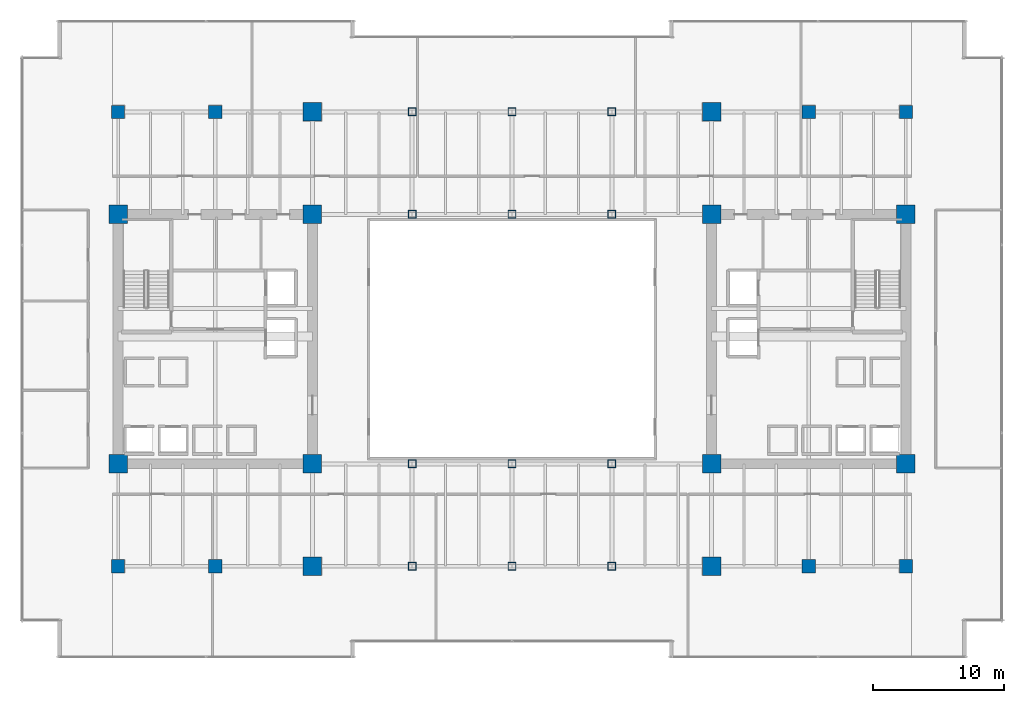
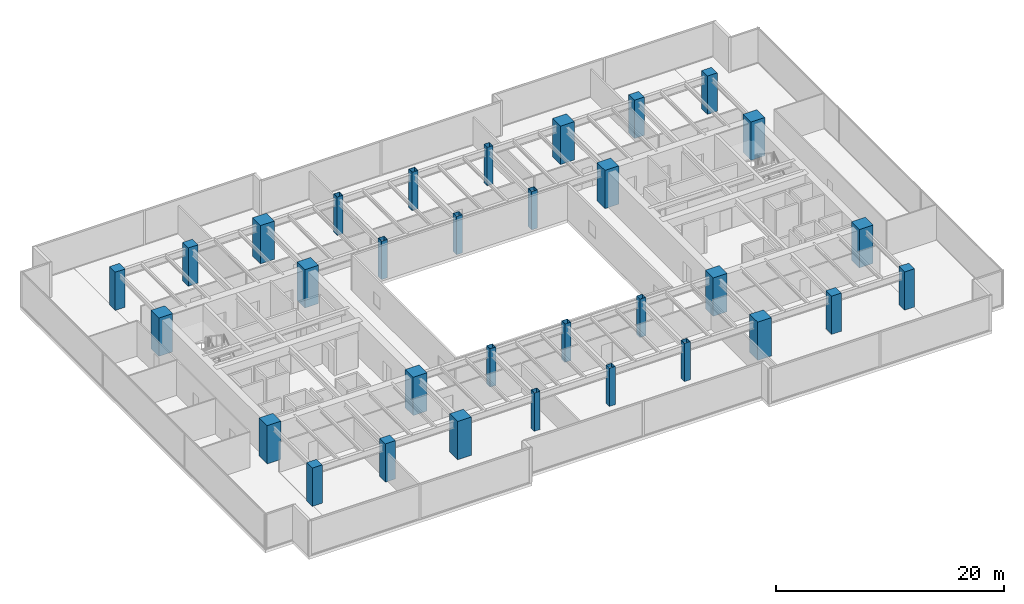
# One storey, part 1 of 37: 32 columns.
"""IFC4 building model written with IfcOpenShell, lengths in metres."""

from ifc_helpers import new_model, si_unit, direction, frame, origin, origin_2d, place, context, subcontext, project, spatial, rectangle, hollow_rectangle, extrude, source, transform, mapped, material, material_profile, profile_set, type_object, type_shapes, element, save


model = new_model("IFC4")

# Units and contexts
model_context = context("Model", 3, precision=1e-05, world=origin(), true_north=direction((0.0, 1.0)))
body_context = subcontext(model_context, "Body", "Model", "MODEL_VIEW")
ifc_project = project(units=[si_unit("LENGTHUNIT", "METRE"), si_unit("AREAUNIT", "SQUARE_METRE"), si_unit("VOLUMEUNIT", "CUBIC_METRE"), si_unit("PLANEANGLEUNIT", "RADIAN"), si_unit("MASSUNIT", "GRAM", prefix="KILO")], contexts=[model_context])

# Site, building, storey
site_placement = place(None, origin())
site = spatial("IfcSite", under=ifc_project, at=site_placement, CompositionType="ELEMENT")
building_placement = place(site_placement, origin())
building = spatial("IfcBuilding", under=site, at=building_placement, Name="Haelvirn Gate Laboratories", CompositionType="ELEMENT")
storey_placement = place(building_placement, frame((0.0, 0.0, 78.5)))
storey = spatial("IfcBuildingStorey", under=building, at=storey_placement, Name="L19", CompositionType="ELEMENT", Elevation=78.5)

# Columns
ifc_material_1 = material(Name="Concrete C60/75", Category="concrete")
ifc_material_profile_1 = material_profile(ifc_material_1, rectangle(XDim=1.0, YDim=1.0, at=origin_2d()), Name="RC-1000x1000")
ifc_profile_set_1 = profile_set([ifc_material_profile_1], Name="Concrete C60/75")
column_type_1 = type_object("IfcColumnType", Name="COL-RC-1000", PredefinedType="COLUMN", material=ifc_profile_set_1)
shared_shape_1 = source(origin(), body_context, "Body", "SweptSolid", [
    extrude(rectangle(XDim=1.0, YDim=1.0, at=origin_2d()), origin(), (0.0, 0.0, 1.0), 4.10009765625),
])
type_shapes(column_type_1, [shared_shape_1])
for number, where, z_axis, x_axis, name in (
    (1, (14.800048828125, 7.0, 0.0), (0.0, 0.0, 1.0), (1.0, 0.0, 0.0), "L19 Column 3B"),
    (2, (14.800048828125, 41.60009765625, 0.0), (0.0, 0.0, 1.0), (1.0, 0.0, 0.0), "L19 Column 3G"),
    (3, (60.0, 7.0, 0.0), (0.0, 0.0, 1.0), (1.0, 0.0, 0.0), "L19 Column 9B"),
    (4, (60.0, 41.60009765625, 0.0), (0.0, 0.0, 1.0), (1.0, 0.0, 0.0), "L19 Column 9G"),
    (5, (7.39990234375, 7.0, 0.0), (0.0, 0.0, 1.0), (1.0, 0.0, 0.0), "L19 Column 2B"),
    (6, (7.39990234375, 41.60009765625, 0.0), (0.0, 0.0, 1.0), (1.0, 0.0, 0.0), "L19 Column 2G"),
    (7, (67.39990234375, 7.0, 0.0), (0.0, 0.0, 1.0), (1.0, 0.0, 0.0), "L19 Column 10B"),
    (8, (67.39990234375, 41.60009765625, 0.0), (0.0, 0.0, 1.0), (1.0, 0.0, 0.0), "L19 Column 10G"),
):
    element("IfcColumn", number, at=place(storey_placement, frame(where, z_axis=z_axis, x_axis=x_axis)), inside=storey, type_object=column_type_1, Name=name, PredefinedType="COLUMN", context=body_context, shape_type="MappedRepresentation", body=[
        mapped(shared_shape_1, transform((0.0, 0.0, 0.0), scale=1.0)),
    ])
ifc_material_2 = material(Name="Concrete C70/85", Category="concrete")
ifc_material_profile_2 = material_profile(ifc_material_2, rectangle(XDim=1.39990234375, YDim=1.39990234375, at=origin_2d()), Name="SRC-1400x1400")
ifc_profile_set_2 = profile_set([ifc_material_profile_2], Name="Concrete C70/85")
column_type_2 = type_object("IfcColumnType", Name="COL-SRC-1400", PredefinedType="COLUMN", material=ifc_profile_set_2)
shared_shape_2 = source(origin(), body_context, "Body", "SweptSolid", [
    extrude(rectangle(XDim=1.39990234375, YDim=1.39990234375, at=origin_2d()), origin(), (0.0, 0.0, 1.0), 4.10009765625),
])
type_shapes(column_type_2, [shared_shape_2])
for number, where, z_axis, x_axis, name in (
    (9, (22.199951171875, 7.0, 0.0), (0.0, 0.0, 1.0), (1.0, 0.0, 0.0), "L19 Column 4B"),
    (10, (7.39990234375, 14.800048828125, 0.0), (0.0, 0.0, 1.0), (1.0, 0.0, 0.0), "L19 Column 2C"),
    (11, (22.199951171875, 14.800048828125, 0.0), (0.0, 0.0, 1.0), (1.0, 0.0, 0.0), "L19 Column 4C"),
    (12, (7.39990234375, 33.800048828125, 0.0), (0.0, 0.0, 1.0), (1.0, 0.0, 0.0), "L19 Column 2F"),
    (13, (22.199951171875, 33.800048828125, 0.0), (0.0, 0.0, 1.0), (1.0, 0.0, 0.0), "L19 Column 4F"),
    (14, (22.199951171875, 41.60009765625, 0.0), (0.0, 0.0, 1.0), (1.0, 0.0, 0.0), "L19 Column 4G"),
    (15, (52.60009765625, 7.0, 0.0), (0.0, 0.0, 1.0), (1.0, 0.0, 0.0), "L19 Column 8B"),
    (16, (52.60009765625, 14.800048828125, 0.0), (0.0, 0.0, 1.0), (1.0, 0.0, 0.0), "L19 Column 8C"),
    (17, (67.39990234375, 14.800048828125, 0.0), (0.0, 0.0, 1.0), (1.0, 0.0, 0.0), "L19 Column 10C"),
    (18, (52.60009765625, 33.800048828125, 0.0), (0.0, 0.0, 1.0), (1.0, 0.0, 0.0), "L19 Column 8F"),
    (19, (67.39990234375, 33.800048828125, 0.0), (0.0, 0.0, 1.0), (1.0, 0.0, 0.0), "L19 Column 10F"),
    (20, (52.60009765625, 41.60009765625, 0.0), (0.0, 0.0, 1.0), (1.0, 0.0, 0.0), "L19 Column 8G"),
):
    element("IfcColumn", number, at=place(storey_placement, frame(where, z_axis=z_axis, x_axis=x_axis)), inside=storey, type_object=column_type_2, Name=name, PredefinedType="COLUMN", context=body_context, shape_type="MappedRepresentation", body=[
        mapped(shared_shape_2, transform((0.0, 0.0, 0.0), scale=1.0)),
    ])
ifc_material_3 = material(Name="Steel SM420", Category="steel")
ifc_material_profile_3 = material_profile(ifc_material_3, hollow_rectangle(XDim=0.60009765625, YDim=0.60009765625, WallThickness=0.028076171875, at=origin_2d()), Name="BOX-600x600x28")
ifc_profile_set_3 = profile_set([ifc_material_profile_3], Name="Steel SM420")
column_type_3 = type_object("IfcColumnType", Name="COL-BOX-600", PredefinedType="COLUMN", material=ifc_profile_set_3)
shared_shape_3 = source(origin(), body_context, "Body", "SweptSolid", [
    extrude(hollow_rectangle(XDim=0.60009765625, YDim=0.60009765625, WallThickness=0.028076171875, at=origin_2d()), origin(), (0.0, 0.0, 1.0), 4.10009765625),
])
type_shapes(column_type_3, [shared_shape_3])
for number, where, z_axis, x_axis, name in (
    (21, (29.800048828125, 7.0, 0.0), (0.0, 0.0, 1.0), (1.0, 0.0, 0.0), "L19 Column 5B"),
    (22, (29.800048828125, 14.800048828125, 0.0), (0.0, 0.0, 1.0), (1.0, 0.0, 0.0), "L19 Column 5C"),
    (23, (29.800048828125, 33.800048828125, 0.0), (0.0, 0.0, 1.0), (1.0, 0.0, 0.0), "L19 Column 5F"),
    (24, (29.800048828125, 41.60009765625, 0.0), (0.0, 0.0, 1.0), (1.0, 0.0, 0.0), "L19 Column 5G"),
    (25, (37.39990234375, 7.0, 0.0), (0.0, 0.0, 1.0), (1.0, 0.0, 0.0), "L19 Column 6B"),
    (26, (37.39990234375, 14.800048828125, 0.0), (0.0, 0.0, 1.0), (1.0, 0.0, 0.0), "L19 Column 6C"),
    (27, (37.39990234375, 33.800048828125, 0.0), (0.0, 0.0, 1.0), (1.0, 0.0, 0.0), "L19 Column 6F"),
    (28, (37.39990234375, 41.60009765625, 0.0), (0.0, 0.0, 1.0), (1.0, 0.0, 0.0), "L19 Column 6G"),
    (29, (45.0, 7.0, 0.0), (0.0, 0.0, 1.0), (1.0, 0.0, 0.0), "L19 Column 7B"),
    (30, (45.0, 14.800048828125, 0.0), (0.0, 0.0, 1.0), (1.0, 0.0, 0.0), "L19 Column 7C"),
    (31, (45.0, 33.800048828125, 0.0), (0.0, 0.0, 1.0), (1.0, 0.0, 0.0), "L19 Column 7F"),
    (32, (45.0, 41.60009765625, 0.0), (0.0, 0.0, 1.0), (1.0, 0.0, 0.0), "L19 Column 7G"),
):
    element("IfcColumn", number, at=place(storey_placement, frame(where, z_axis=z_axis, x_axis=x_axis)), inside=storey, type_object=column_type_3, Name=name, PredefinedType="COLUMN", context=body_context, shape_type="MappedRepresentation", body=[
        mapped(shared_shape_3, transform((0.0, 0.0, 0.0), scale=1.0)),
    ])

save(model, "model.ifc")
